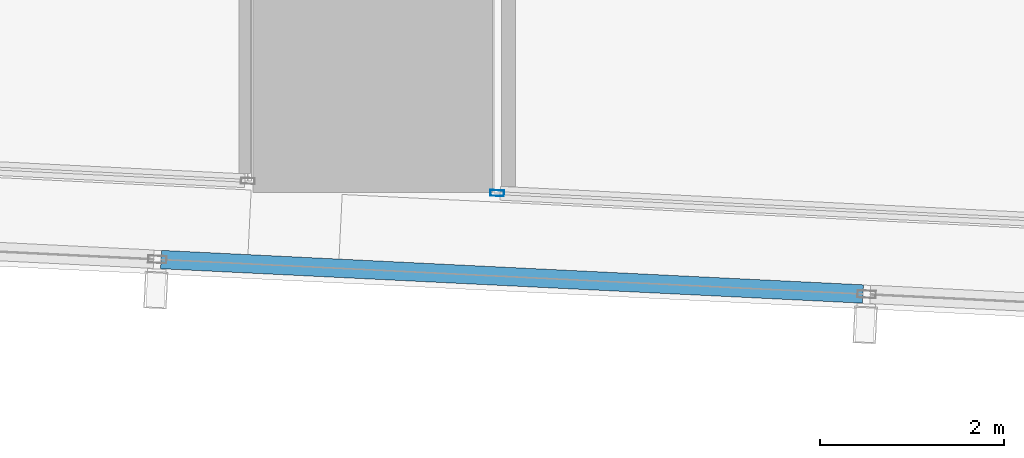
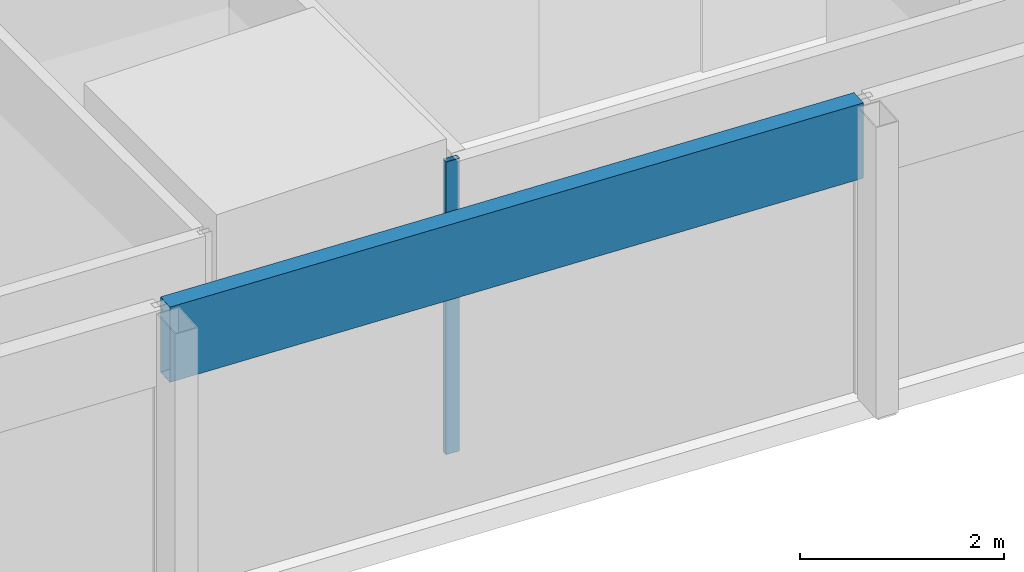
# One storey, part 3 of 46: 2 members, 2 elements without a shape of their own.
"""IFC4 building model written with IfcOpenShell, lengths in metres."""

from ifc_helpers import new_model, si_unit, direction, frame, origin, origin_2d, place, context, subcontext, project, spatial, hollow_rectangle, extrude, material, material_profile, profile_set, type_object, element, aggregate, save


model = new_model("IFC4")

# Units and contexts
model_context = context("Model", 3, precision=1e-05, world=origin(), true_north=direction((0.0, 1.0)))
body_context = subcontext(model_context, "Body", "Model", "MODEL_VIEW")
ifc_project = project(units=[si_unit("LENGTHUNIT", "METRE"), si_unit("AREAUNIT", "SQUARE_METRE"), si_unit("VOLUMEUNIT", "CUBIC_METRE"), si_unit("PLANEANGLEUNIT", "RADIAN"), si_unit("MASSUNIT", "GRAM", prefix="KILO")], contexts=[model_context])

# Site, building, storey
site_placement = place(None, origin())
site = spatial("IfcSite", under=ifc_project, at=site_placement, CompositionType="ELEMENT")
building_placement = place(site_placement, origin())
building = spatial("IfcBuilding", under=site, at=building_placement, Name="Rekha Terrace Tower", CompositionType="ELEMENT")
storey_placement = place(building_placement, frame((0.0, 0.0, 29.14990234375)))
storey = spatial("IfcBuildingStorey", under=building, at=storey_placement, Name="L06", CompositionType="ELEMENT", Elevation=29.14990234375)

# Curtain wall, member
ifc_material_1 = material(Name="Aluminium framing", Category="aluminium")
curtain_wall_type_1 = type_object("IfcCurtainWallType", Name="CW1 double skin inner glazing", PredefinedType="USERDEFINED", material=ifc_material_1)
curtain_wall_1_placement = place(storey_placement, origin())
curtain_wall_1 = element("IfcCurtainWall", 1, at=curtain_wall_1_placement, inside=storey, type_object=curtain_wall_type_1, Name="CW1 double skin inner glazing", ObjectType="DOUBLE SKIN INNER GLAZING", PredefinedType="USERDEFINED")
ifc_material_2 = material(Name="Aluminium mullion section", Category="aluminium")
ifc_material_profile_1 = material_profile(ifc_material_2, hollow_rectangle(XDim=0.06494140625, YDim=0.14990234375, WallThickness=0.00390625, at=origin_2d()), Name="AL RHS 65x150")
ifc_profile_set_1 = profile_set([ifc_material_profile_1], Name="Aluminium mullion section")
member_type_1 = type_object("IfcMemberType", Name="CW1 mullion RHS 65 x 150", PredefinedType="MULLION", material=ifc_profile_set_1)
member_1_placement = place(storey_placement, frame((18.15234375, 7.093994140625, 0.0), z_axis=(0.0, 0.0, 1.0), x_axis=(0.049051717746, 0.998796239974, 0.0)))
member_1 = element("IfcMember", 2, at=member_1_placement, type_object=member_type_1, Name="CW1 mullion 1", PredefinedType="MULLION", context=body_context, shape_type="SweptSolid", body=[
    extrude(hollow_rectangle(XDim=0.06494140625, YDim=0.14990234375, WallThickness=0.00390625, at=origin_2d()), origin(), (0.0, 0.0, 1.0), 3.5),
])
aggregate(curtain_wall_1, [member_1])

curtain_wall_type_2 = type_object("IfcCurtainWallType", Name="CW2 double skin outer glazing", PredefinedType="USERDEFINED", material=ifc_material_1)
curtain_wall_2_placement = place(storey_placement, origin())
curtain_wall_2 = element("IfcCurtainWall", 3, at=curtain_wall_2_placement, inside=storey, type_object=curtain_wall_type_2, Name="CW2 double skin outer glazing", ObjectType="DOUBLE SKIN OUTER GLAZING", PredefinedType="USERDEFINED")
ifc_material_3 = material(Name="Insulated aluminium spandrel box", Category="aluminium")
ifc_material_profile_2 = material_profile(ifc_material_3, hollow_rectangle(XDim=0.199951171875, YDim=0.89990234375, WallThickness=0.0029296875, at=origin_2d()), Name="AL SPANDREL BOX 200x900")
ifc_profile_set_2 = profile_set([ifc_material_profile_2], Name="Insulated aluminium spandrel box")
member_type_2 = type_object("IfcMemberType", Name="CW2 spandrel transom 200 x 900", PredefinedType="USERDEFINED", material=ifc_profile_set_2)
member_2_placement = place(storey_placement, frame((14.499755859375, 6.372314453125, 3.050048828125), z_axis=(0.998796511558, -0.049046187417, 0.0), x_axis=(0.049046187417, 0.998796511558, 0.0)))
member_2 = element("IfcMember", 4, at=member_2_placement, type_object=member_type_2, Name="CW2 spandrel transom 2", ObjectType="TRANSOM", PredefinedType="USERDEFINED", context=body_context, shape_type="SweptSolid", body=[
    extrude(hollow_rectangle(XDim=0.199951171875, YDim=0.89990234375, WallThickness=0.0029296875, at=origin_2d()), origin(), (0.0, 0.0, 1.0), 7.635986328125),
])
aggregate(curtain_wall_2, [member_2])

save(model, "model.ifc")
